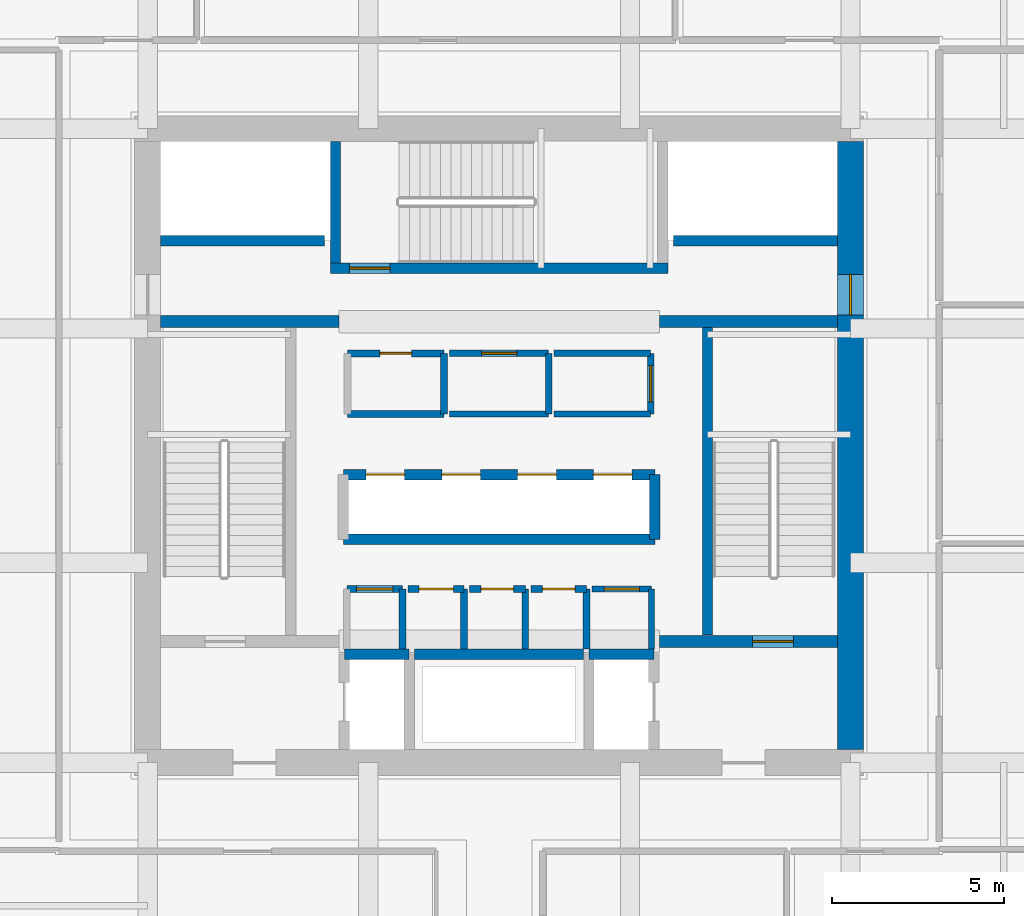
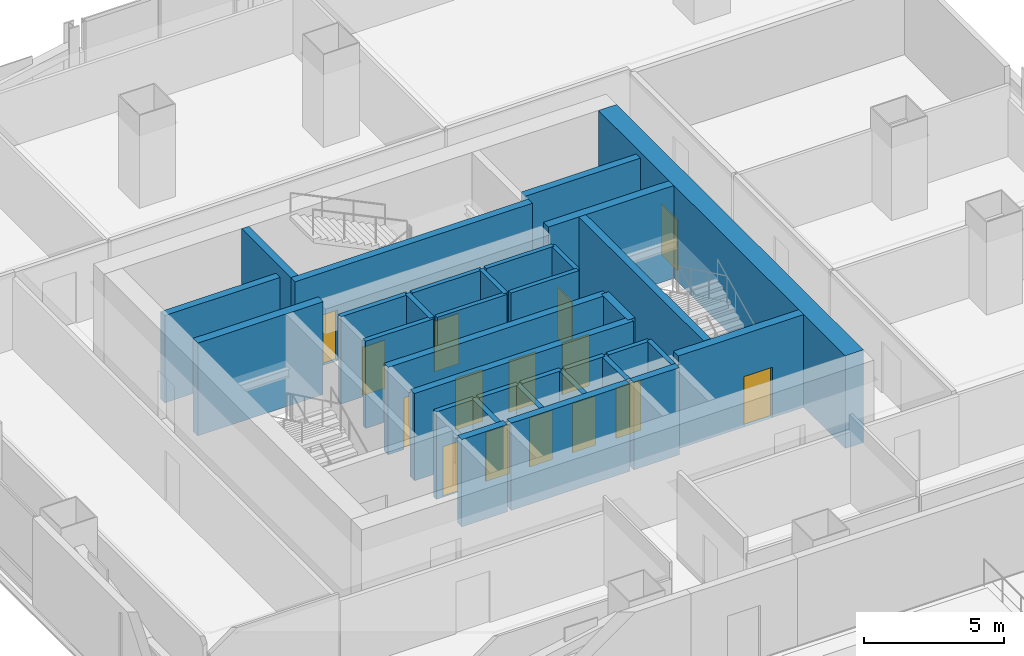
# One storey, part 12 of 28: 34 walls, 15 doors, 15 openings.
"""IFC4 building model written with IfcOpenShell, lengths in metres."""

import ifcopenshell
import ifcopenshell.guid

model = None  # the IFC model being written
_history = None  # IfcOwnerHistory: only IFC2X3 demands one
_inside = {}  # id of a spatial element -> (the spatial element, [elements in it])
_under = {}  # id of a project, library or spatial element -> (it, [spatial elements below it])
_declared = {}  # id of a project -> (the project, [libraries it declares])
_typed = {}  # id of a type object -> (the type object, [elements of that type])
_made_of = {}  # id of a material, layer set ... -> (it, [elements and type objects made of it])


def new_model(schema):
    """Start an empty IFC model of exactly this schema.

    Asked for "IFC4X3", IfcOpenShell would pick the latest addendum, in which some entities
    have other attributes; the version numbers below select the first issue.
    IFC2X3 requires an IfcOwnerHistory on every rooted entity: one is made here for all.
    """
    global model, _history
    if schema == "IFC4X3":
        model = ifcopenshell.file(schema_version=(4, 3, 0, 0))
    else:
        model = ifcopenshell.file(schema=schema)
    _inside.clear()
    _under.clear()
    _declared.clear()
    _typed.clear()
    _made_of.clear()
    _history = None
    if model.schema == "IFC2X3":
        org = make("IfcOrganization", Name="unknown")
        user = make(
            "IfcPersonAndOrganization",
            ThePerson=make("IfcPerson", FamilyName="unknown"),
            TheOrganization=org,
        )
        app = make(
            "IfcApplication",
            ApplicationDeveloper=org,
            Version="unknown",
            ApplicationFullName="unknown",
            ApplicationIdentifier="unknown",
        )
        _history = make(
            "IfcOwnerHistory",
            OwningUser=user,
            OwningApplication=app,
            ChangeAction="ADDED",
            CreationDate=0,
        )
    return model


def make(cls, **values):
    """One entity of the class cls with the attributes given. An attribute that is None is left unset."""
    return model.create_entity(
        cls, **{name: value for name, value in values.items() if value is not None}
    )


def rooted(cls, **values):
    """An entity with a GlobalId (a new one), such as an element, a storey or a relation."""
    return make(cls, GlobalId=ifcopenshell.guid.new(), OwnerHistory=_history, **values)


def si_unit(unit_type, name, prefix=None):
    """IfcSIUnit, for example si_unit("LENGTHUNIT", "METRE", prefix="MILLI")."""
    return make("IfcSIUnit", UnitType=unit_type, Prefix=prefix, Name=name)


def assignment(units):
    """IfcUnitAssignment: the units of a project."""
    return None if units is None else make("IfcUnitAssignment", Units=units)


def point(xyz):
    """IfcCartesianPoint."""
    return None if xyz is None else make("IfcCartesianPoint", Coordinates=xyz)


def direction(xyz):
    """IfcDirection."""
    return None if xyz is None else make("IfcDirection", DirectionRatios=xyz)


def frame(location, z_axis=None, x_axis=None):
    """IfcAxis2Placement3D, a coordinate frame: its origin and axes. An axis left out is left unset."""
    return make(
        "IfcAxis2Placement3D",
        Location=point(location),
        Axis=direction(z_axis),
        RefDirection=direction(x_axis),
    )


def frame_2d(location, x_axis=None):
    """IfcAxis2Placement2D, a coordinate frame in the plane: its origin and x axis."""
    return make(
        "IfcAxis2Placement2D", Location=point(location), RefDirection=direction(x_axis)
    )


def origin():
    """The frame at (0, 0, 0) with its axes left unset."""
    return frame((0.0, 0.0, 0.0))


def place(relative_to, where):
    """IfcLocalPlacement: puts the frame where relative to a parent placement (None: the world)."""
    return make(
        "IfcLocalPlacement", PlacementRelTo=relative_to, RelativePlacement=where
    )


def context(
    kind, dimensions, precision=None, world=None, true_north=None, identifier=None
):
    """IfcGeometricRepresentationContext, for example the 3D "Model" context."""
    return make(
        "IfcGeometricRepresentationContext",
        ContextIdentifier=identifier,
        ContextType=kind,
        CoordinateSpaceDimension=dimensions,
        Precision=precision,
        WorldCoordinateSystem=world,
        TrueNorth=true_north,
    )


def subcontext(parent, identifier, kind, view, scale=None):
    """IfcGeometricRepresentationSubContext, for example "Body" below "Model"."""
    return make(
        "IfcGeometricRepresentationSubContext",
        ContextIdentifier=identifier,
        ContextType=kind,
        ParentContext=parent,
        TargetScale=scale,
        TargetView=view,
    )


def project(units=None, contexts=None):
    """IfcProject with its units and contexts."""
    return rooted(
        "IfcProject",
        Name="project",
        RepresentationContexts=contexts,
        UnitsInContext=assignment(units),
    )


def spatial(cls, under=None, at=None, **own):
    """A site, building, storey or space (cls), placed at a placement, below another one or the project."""
    s = rooted(cls, ObjectPlacement=at, **own)
    if under is not None:
        _under.setdefault(under.id(), (under, []))[1].append(s)
    return s


def profile(cls, at=None, kind="AREA", **sizes):
    """A parametric profile (cls). Its sizes go by their IFC names, for example OverallWidth=200.0."""
    return make(cls, ProfileType=kind, Position=at, **sizes)


def rectangle(**sizes):
    """IfcRectangleProfileDef."""
    return profile("IfcRectangleProfileDef", **sizes)


def extrude(swept, where, along, depth):
    """IfcExtrudedAreaSolid: the profile swept, set in the frame where, extruded along a direction by depth."""
    return make(
        "IfcExtrudedAreaSolid",
        SweptArea=swept,
        Position=where,
        ExtrudedDirection=direction(along),
        Depth=depth,
    )


def shape(context_of_items, identifier, shape_type, items):
    """IfcShapeRepresentation: the items that make up one representation, for example the "Body"."""
    return make(
        "IfcShapeRepresentation",
        ContextOfItems=context_of_items,
        RepresentationIdentifier=identifier,
        RepresentationType=shape_type,
        Items=items,
    )


def material(Name=None, Category=None):
    """IfcMaterial."""
    return make("IfcMaterial", Name=Name, Category=Category)


def layer(
    of_material, thickness, ventilated=None, Name=None, Category=None, Priority=None
):
    """IfcMaterialLayer: one layer of a wall or slab, of a material (None: an air gap)."""
    return make(
        "IfcMaterialLayer",
        Material=of_material,
        LayerThickness=thickness,
        IsVentilated=ventilated,
        Name=Name,
        Category=Category,
        Priority=Priority,
    )


def layer_set(layers, Name=None):
    """IfcMaterialLayerSet."""
    return make("IfcMaterialLayerSet", MaterialLayers=layers, LayerSetName=Name)


def made_of(thing, what):
    """Note that an element or type object is made of a material, layer set ...; save() writes the relation."""
    if what is not None:
        _made_of.setdefault(what.id(), (what, []))[1].append(thing)
    return thing


def type_object(cls, material=None, **own):
    """A type object (cls), such as IfcWallType, which elements share."""
    return made_of(rooted(cls, **own), material)


def element(
    cls,
    number,
    at=None,
    inside=None,
    cuts=None,
    type_object=None,
    material=None,
    context=None,
    identifier="Body",
    shape_type=None,
    held_by="IfcProductDefinitionShape",
    body=None,
    shapes=None,
    **own,
):
    """One element of the class cls, such as IfcWall. Its Tag is "e" and its number.

    at: its placement. inside: the storey or other place that contains it. cuts: it is an
    opening in that element (IfcRelVoidsElement). A single representation is given by context,
    identifier, shape_type and body (its items); several are given by shapes. held_by: the class
    of the entity that holds the representations. save() writes the other relations.
    """
    e = rooted(cls, Tag="e%d" % number, ObjectPlacement=at, **own)
    if body is not None:
        shapes = [shape(context, identifier, shape_type, body)]
    if shapes is not None:
        e.Representation = make(held_by, Representations=shapes)
    if inside is not None:
        _inside.setdefault(inside.id(), (inside, []))[1].append(e)
    if cuts is not None:
        rooted(
            "IfcRelVoidsElement", RelatingBuildingElement=cuts, RelatedOpeningElement=e
        )
    if type_object is not None:
        _typed.setdefault(type_object.id(), (type_object, []))[1].append(e)
    return made_of(e, material)


def fill(opening, filler):
    """IfcRelFillsElement: the door or window that sits in an opening."""
    return rooted(
        "IfcRelFillsElement",
        RelatingOpeningElement=opening,
        RelatedBuildingElement=filler,
    )


def aggregate(whole, parts):
    """IfcRelAggregates: a whole, such as a stair, and the parts it consists of."""
    return rooted("IfcRelAggregates", RelatingObject=whole, RelatedObjects=parts)


def save(model, path):
    """Write the relations noted so far, then the file.

    IfcRelAggregates (storeys below a building ...), IfcRelContainedInSpatialStructure (elements
    in a storey), IfcRelDefinesByType, IfcRelAssociatesMaterial and IfcRelDeclares: one each for
    every whole, place, type object, material and project.
    """
    for whole, parts in _under.values():
        aggregate(whole, parts)
    for where, things in _inside.values():
        rooted(
            "IfcRelContainedInSpatialStructure",
            RelatedElements=things,
            RelatingStructure=where,
        )
    for kind, things in _typed.values():
        rooted("IfcRelDefinesByType", RelatedObjects=things, RelatingType=kind)
    for what, things in _made_of.values():
        rooted("IfcRelAssociatesMaterial", RelatedObjects=things, RelatingMaterial=what)
    for by, libraries in _declared.values():
        rooted("IfcRelDeclares", RelatingContext=by, RelatedDefinitions=libraries)
    model.write(path)


model = new_model("IFC4")

# Units and contexts
model_context = context("Model", 3, precision=1e-05, world=origin(), true_north=direction((0.0, 1.0)))
body_context = subcontext(model_context, "Body", "Model", "MODEL_VIEW")
ifc_project = project(units=[si_unit("LENGTHUNIT", "METRE"), si_unit("AREAUNIT", "SQUARE_METRE"), si_unit("VOLUMEUNIT", "CUBIC_METRE"), si_unit("PLANEANGLEUNIT", "RADIAN"), si_unit("MASSUNIT", "GRAM", prefix="KILO")], contexts=[model_context])

# Site, building, storey
site_placement = place(None, origin())
site = spatial("IfcSite", under=ifc_project, at=site_placement, CompositionType="ELEMENT")
building_placement = place(site_placement, origin())
building = spatial("IfcBuilding", under=site, at=building_placement, Name="Punatoya Terracotta Tower", CompositionType="ELEMENT")
storey_placement = place(building_placement, frame((0.0, 0.0, 93.0)))
storey = spatial("IfcBuildingStorey", under=building, at=storey_placement, Name="L21", CompositionType="ELEMENT", Elevation=93.0)

# Wall, opening, door
ifc_material_1 = material(Name="Concrete C60/75", Category="concrete")
ifc_layer_1 = layer(ifc_material_1, 0.75)
ifc_layer_set_1 = layer_set([ifc_layer_1], Name="Concrete C60/75")
wall_type_1 = type_object("IfcWallType", Name="WL-COR-750", PredefinedType="SHEAR", material=ifc_layer_set_1)
wall_1_placement = place(storey_placement, frame((10.199951171875, 8.824951171875, 0.0), z_axis=(0.0, 0.0, 1.0), x_axis=(0.0, -1.0, 0.0)))
wall_1 = element("IfcWall", 1, at=wall_1_placement, inside=storey, type_object=wall_type_1, Name="L21 Core Shear Wall E", PredefinedType="SHEAR", context=body_context, shape_type="SweptSolid", body=[
    extrude(rectangle(XDim=17.64990234375, YDim=0.75, at=frame_2d((8.824951171875, 0.0))), origin(), (0.0, 0.0, 1.0), 4.050048828125),
])
opening_1_placement = place(wall_1_placement, frame((3.85498046875, 0.0, 0.0)))
opening_1 = element("IfcOpeningElement", 2, at=opening_1_placement, cuts=wall_1, Name="Opening SD-01", PredefinedType="OPENING", context=body_context, shape_type="SweptSolid", body=[
    extrude(rectangle(XDim=1.179931640625, YDim=2.199951171875, at=frame_2d((0.58984375, 1.10009765625))), frame((0.0, 0.385009765625, 0.0), z_axis=(0.0, -1.0, 0.0), x_axis=(1.0, 0.0, 0.0)), (0.0, 0.0, 1.0), 0.77001953125),
])
ifc_material_2 = material(Name="Galvanised Steel Pressurized Stair Fire Door", Category="steel")
door_type_1 = type_object("IfcDoorType", Name="DR-STR-1180", OperationType="NOTDEFINED", PredefinedType="DOOR", material=ifc_material_2)
door_1_placement = place(opening_1_placement, origin())
door_1 = element("IfcDoor", 3, at=door_1_placement, inside=storey, type_object=door_type_1, Name="L21 Central Lift Lobby East Fire Door", OperationType="SINGLE_SWING_RIGHT", OverallHeight=2.199951171875, OverallWidth=1.179931640625, PredefinedType="DOOR", context=body_context, shape_type="SweptSolid", body=[
    extrude(rectangle(XDim=1.179931640625, YDim=2.199951171875, at=frame_2d((0.58984375, 1.10009765625))), frame((0.0, 0.02490234375, 0.0), z_axis=(0.0, -1.0, 0.0), x_axis=(1.0, 0.0, 0.0)), (0.0, 0.0, 1.0), 0.050048828125),
])
fill(opening_1, door_1)

# Wall
ifc_material_3 = material(Name="Gypsum Fireboard + Steel Stud", Category="steel")
ifc_layer_2 = layer(ifc_material_3, 0.179931640625)
ifc_layer_set_2 = layer_set([ifc_layer_2], Name="Gypsum Fireboard + Steel Stud")
wall_type_2 = type_object("IfcWallType", Name="WL-CORR-180", PredefinedType="PARTITIONING", material=ifc_layer_set_2)
wall_2_placement = place(storey_placement, frame((4.419921875, -5.89990234375, 0.0), z_axis=(0.0, 0.0, 1.0), x_axis=(0.0, 1.0, 0.0)))
element("IfcWall", 4, at=wall_2_placement, inside=storey, type_object=wall_type_2, Name="L21 Core Focus Booth Partition 10", PredefinedType="PARTITIONING", context=body_context, shape_type="SweptSolid", body=[
    extrude(rectangle(XDim=1.739990234375, YDim=0.179931640625, at=frame_2d((0.8701171875, 0.0))), origin(), (0.0, 0.0, 1.0), 3.81005859375),
])

# Wall, opening, door
wall_3_placement = place(storey_placement, frame((4.419921875, -4.159912109375, 0.0), z_axis=(0.0, 0.0, 1.0), x_axis=(-1.0, 0.0, 0.0)))
wall_3 = element("IfcWall", 5, at=wall_3_placement, inside=storey, type_object=wall_type_2, Name="L21 Core Focus Booth Partition 11", PredefinedType="PARTITIONING", context=body_context, shape_type="SweptSolid", body=[
    extrude(rectangle(XDim=1.719970703125, YDim=0.179931640625, at=frame_2d((0.85986328125, 0.0))), origin(), (0.0, 0.0, 1.0), 3.81005859375),
])
opening_2_placement = place(wall_3_placement, frame((0.35009765625, 0.0, 0.0)))
opening_2 = element("IfcOpeningElement", 6, at=opening_2_placement, cuts=wall_3, Name="Opening MD-01", PredefinedType="OPENING", context=body_context, shape_type="SweptSolid", body=[
    extrude(rectangle(XDim=1.02001953125, YDim=2.199951171875, at=frame_2d((0.510009765625, 1.10009765625))), frame((0.0, 0.099853515625, 0.0), z_axis=(0.0, -1.0, 0.0), x_axis=(1.0, 0.0, 0.0)), (0.0, 0.0, 1.0), 0.199951171875),
])
ifc_material_4 = material(Name="Aluminium + Acoustic Glass Leaf", Category="aluminium")
door_type_2 = type_object("IfcDoorType", Name="DR-MTG-1020", OperationType="NOTDEFINED", PredefinedType="DOOR", material=ifc_material_4)
door_2_placement = place(opening_2_placement, origin())
door_2 = element("IfcDoor", 7, at=door_2_placement, inside=storey, type_object=door_type_2, Name="L21 Focus Booth Door", OperationType="SINGLE_SWING_LEFT", OverallHeight=2.199951171875, OverallWidth=1.02001953125, PredefinedType="DOOR", context=body_context, shape_type="SweptSolid", body=[
    extrude(rectangle(XDim=1.02001953125, YDim=2.199951171875, at=frame_2d((0.510009765625, 1.10009765625))), frame((0.0, 0.02490234375, 0.0), z_axis=(0.0, -1.0, 0.0), x_axis=(1.0, 0.0, 0.0)), (0.0, 0.0, 1.0), 0.050048828125),
])
fill(opening_2, door_2)

# Wall
wall_4_placement = place(storey_placement, frame((1.43994140625, 0.919921875, 0.0), z_axis=(0.0, 0.0, 1.0), x_axis=(0.0, 1.0, 0.0)))
element("IfcWall", 8, at=wall_4_placement, inside=storey, type_object=wall_type_2, Name="L21 Center Core Briefing Pod Partition 16", PredefinedType="PARTITIONING", context=body_context, shape_type="SweptSolid", body=[
    extrude(rectangle(XDim=1.760009765625, YDim=0.179931640625, at=frame_2d((0.8798828125, 0.0))), origin(), (0.0, 0.0, 1.0), 3.81005859375),
])

# Wall, opening, door
wall_5_placement = place(storey_placement, frame((1.43994140625, 2.679931640625, 0.0), z_axis=(0.0, 0.0, 1.0), x_axis=(-1.0, 0.0, 0.0)))
wall_5 = element("IfcWall", 9, at=wall_5_placement, inside=storey, type_object=wall_type_2, Name="L21 Center Core Briefing Pod Partition 17", PredefinedType="PARTITIONING", context=body_context, shape_type="SweptSolid", body=[
    extrude(rectangle(XDim=2.8798828125, YDim=0.179931640625, at=frame_2d((1.43994140625, 0.0))), origin(), (0.0, 0.0, 1.0), 3.81005859375),
])
opening_3_placement = place(wall_5_placement, frame((0.929931640625, 0.0, 0.0)))
opening_3 = element("IfcOpeningElement", 10, at=opening_3_placement, cuts=wall_5, Name="Opening MD-01", PredefinedType="OPENING", context=body_context, shape_type="SweptSolid", body=[
    extrude(rectangle(XDim=1.02001953125, YDim=2.199951171875, at=frame_2d((0.510009765625, 1.10009765625))), frame((0.0, 0.099853515625, 0.0), z_axis=(0.0, -1.0, 0.0), x_axis=(1.0, 0.0, 0.0)), (0.0, 0.0, 1.0), 0.199951171875),
])
door_3_placement = place(opening_3_placement, origin())
door_3 = element("IfcDoor", 11, at=door_3_placement, inside=storey, type_object=door_type_2, Name="L21 Center Briefing Pod Door", OperationType="SINGLE_SWING_LEFT", OverallHeight=2.199951171875, OverallWidth=1.02001953125, PredefinedType="DOOR", context=body_context, shape_type="SweptSolid", body=[
    extrude(rectangle(XDim=1.02001953125, YDim=2.199951171875, at=frame_2d((0.510009765625, 1.10009765625))), frame((0.0, 0.02490234375, 0.0), z_axis=(0.0, -1.0, 0.0), x_axis=(1.0, 0.0, 0.0)), (0.0, 0.0, 1.0), 0.050048828125),
])
fill(opening_3, door_3)

# Wall
wall_6_placement = place(storey_placement, frame((-1.43994140625, 0.919921875, 0.0), z_axis=(0.0, 0.0, 1.0), x_axis=(1.0, 0.0, 0.0)))
element("IfcWall", 12, at=wall_6_placement, inside=storey, type_object=wall_type_2, Name="L21 Center Core Briefing Pod Partition 18", PredefinedType="PARTITIONING", context=body_context, shape_type="SweptSolid", body=[
    extrude(rectangle(XDim=2.8798828125, YDim=0.179931640625, at=frame_2d((1.43994140625, 0.0))), origin(), (0.0, 0.0, 1.0), 3.81005859375),
])

# Wall, opening, door
wall_7_placement = place(storey_placement, frame((4.39990234375, 0.919921875, 0.0), z_axis=(0.0, 0.0, 1.0), x_axis=(0.0, 1.0, 0.0)))
wall_7 = element("IfcWall", 13, at=wall_7_placement, inside=storey, type_object=wall_type_2, Name="L21 Right Core Copy Room Partition 19", PredefinedType="PARTITIONING", context=body_context, shape_type="SweptSolid", body=[
    extrude(rectangle(XDim=1.760009765625, YDim=0.179931640625, at=frame_2d((0.8798828125, 0.0))), origin(), (0.0, 0.0, 1.0), 3.81005859375),
])
opening_4_placement = place(wall_7_placement, frame((0.35498046875, 0.0, 0.0)))
opening_4 = element("IfcOpeningElement", 14, at=opening_4_placement, cuts=wall_7, Name="Opening OD-01", PredefinedType="OPENING", context=body_context, shape_type="SweptSolid", body=[
    extrude(rectangle(XDim=1.050048828125, YDim=2.199951171875, at=frame_2d((0.52490234375, 1.10009765625))), frame((0.0, 0.099853515625, 0.0), z_axis=(0.0, -1.0, 0.0), x_axis=(1.0, 0.0, 0.0)), (0.0, 0.0, 1.0), 0.199951171875),
])
ifc_material_5 = material(Name="Bengal Teak Solid-Core Leaf")
door_type_3 = type_object("IfcDoorType", Name="DR-OFF-1050", OperationType="NOTDEFINED", PredefinedType="DOOR", material=ifc_material_5)
door_4_placement = place(opening_4_placement, origin())
door_4 = element("IfcDoor", 15, at=door_4_placement, inside=storey, type_object=door_type_3, Name="L21 Right Copy Room Door", OperationType="SINGLE_SWING_RIGHT", OverallHeight=2.199951171875, OverallWidth=1.050048828125, PredefinedType="DOOR", context=body_context, shape_type="SweptSolid", body=[
    extrude(rectangle(XDim=1.050048828125, YDim=2.199951171875, at=frame_2d((0.52490234375, 1.10009765625))), frame((0.0, 0.02490234375, 0.0), z_axis=(0.0, -1.0, 0.0), x_axis=(1.0, 0.0, 0.0)), (0.0, 0.0, 1.0), 0.050048828125),
])
fill(opening_4, door_4)

# Walls
for number, where, z_axis, x_axis, name in (
    (16, (4.39990234375, 2.679931640625, 0.0), (0.0, 0.0, 1.0), (-1.0, 0.0, 0.0), "L21 Right Core Copy Room Partition 20"),
    (17, (1.60009765625, 0.919921875, 0.0), (0.0, 0.0, 1.0), (1.0, 0.0, 0.0), "L21 Right Core Copy Room Partition 21"),
):
    element("IfcWall", number, at=place(storey_placement, frame(where, z_axis=z_axis, x_axis=x_axis)), inside=storey, type_object=wall_type_2, Name=name, PredefinedType="PARTITIONING", context=body_context, shape_type="SweptSolid", body=[
        extrude(rectangle(XDim=2.7998046875, YDim=0.179931640625, at=frame_2d((1.39990234375, 0.0))), origin(), (0.0, 0.0, 1.0), 3.81005859375),
    ])
ifc_material_6 = material(Name="Concrete C40/50", Category="concrete")
ifc_layer_3 = layer(ifc_material_6, 0.199951171875)
ifc_layer_set_3 = layer_set([ifc_layer_3], Name="Concrete C40/50")
wall_type_3 = type_object("IfcWallType", Name="WL-INT-200", PredefinedType="SOLIDWALL", material=ifc_layer_set_3)
wall_8_placement = place(storey_placement, frame((-2.800048828125, -5.89990234375, 0.0), z_axis=(0.0, 0.0, 1.0), x_axis=(0.0, 1.0, 0.0)))
element("IfcWall", 18, at=wall_8_placement, inside=storey, type_object=wall_type_3, Name="L21 Core Tea Pantry Partition 01", PredefinedType="SOLIDWALL", context=body_context, shape_type="SweptSolid", body=[
    extrude(rectangle(XDim=1.739990234375, YDim=0.199951171875, at=frame_2d((0.8701171875, 0.0))), origin(), (0.0, 0.0, 1.0), 3.81005859375),
])

# Wall, opening, door
wall_9_placement = place(storey_placement, frame((-2.800048828125, -4.159912109375, 0.0), z_axis=(0.0, 0.0, 1.0), x_axis=(-1.0, 0.0, 0.0)))
wall_9 = element("IfcWall", 19, at=wall_9_placement, inside=storey, type_object=wall_type_3, Name="L21 Core Tea Pantry Partition 02", PredefinedType="SOLIDWALL", context=body_context, shape_type="SweptSolid", body=[
    extrude(rectangle(XDim=1.619873046875, YDim=0.199951171875, at=frame_2d((0.81005859375, 0.0))), origin(), (0.0, 0.0, 1.0), 3.81005859375),
])
opening_5_placement = place(wall_9_placement, frame((0.284912109375, 0.0, 0.0)))
opening_5 = element("IfcOpeningElement", 20, at=opening_5_placement, cuts=wall_9, Name="Opening OD-01", PredefinedType="OPENING", context=body_context, shape_type="SweptSolid", body=[
    extrude(rectangle(XDim=1.050048828125, YDim=2.199951171875, at=frame_2d((0.52490234375, 1.10009765625))), frame((0.0, 0.10986328125, 0.0), z_axis=(0.0, -1.0, 0.0), x_axis=(1.0, 0.0, 0.0)), (0.0, 0.0, 1.0), 0.219970703125),
])
door_5_placement = place(opening_5_placement, origin())
door_5 = element("IfcDoor", 21, at=door_5_placement, inside=storey, type_object=door_type_3, Name="L21 Tea Pantry Door", OperationType="SINGLE_SWING_LEFT", OverallHeight=2.199951171875, OverallWidth=1.050048828125, PredefinedType="DOOR", context=body_context, shape_type="SweptSolid", body=[
    extrude(rectangle(XDim=1.050048828125, YDim=2.199951171875, at=frame_2d((0.52490234375, 1.10009765625))), frame((0.0, 0.02490234375, 0.0), z_axis=(0.0, -1.0, 0.0), x_axis=(1.0, 0.0, 0.0)), (0.0, 0.0, 1.0), 0.050048828125),
])
fill(opening_5, door_5)

# Wall
wall_10_placement = place(storey_placement, frame((-1.02001953125, -5.89990234375, 0.0), z_axis=(0.0, 0.0, 1.0), x_axis=(0.0, 1.0, 0.0)))
element("IfcWall", 22, at=wall_10_placement, inside=storey, type_object=wall_type_3, Name="L21 Accessible Washroom Partition 04", PredefinedType="SOLIDWALL", context=body_context, shape_type="SweptSolid", body=[
    extrude(rectangle(XDim=1.739990234375, YDim=0.199951171875, at=frame_2d((0.8701171875, 0.0))), origin(), (0.0, 0.0, 1.0), 3.81005859375),
])

# Wall, opening, door
wall_11_placement = place(storey_placement, frame((-1.02001953125, -4.159912109375, 0.0), z_axis=(0.0, 0.0, 1.0), x_axis=(-1.0, 0.0, 0.0)))
wall_11 = element("IfcWall", 23, at=wall_11_placement, inside=storey, type_object=wall_type_3, Name="L21 Accessible Washroom Partition 05", PredefinedType="SOLIDWALL", context=body_context, shape_type="SweptSolid", body=[
    extrude(rectangle(XDim=1.619873046875, YDim=0.199951171875, at=frame_2d((0.81005859375, 0.0))), origin(), (0.0, 0.0, 1.0), 3.81005859375),
])
opening_6_placement = place(wall_11_placement, frame((0.31005859375, 0.0, 0.0)))
opening_6 = element("IfcOpeningElement", 24, at=opening_6_placement, cuts=wall_11, Name="Opening AWD-1", PredefinedType="OPENING", context=body_context, shape_type="SweptSolid", body=[
    extrude(rectangle(XDim=1.0, YDim=2.14990234375, at=frame_2d((0.5, 1.074951171875))), frame((0.0, 0.10986328125, 0.0), z_axis=(0.0, -1.0, 0.0), x_axis=(1.0, 0.0, 0.0)), (0.0, 0.0, 1.0), 0.219970703125),
])
ifc_material_7 = material(Name="Bengal Teak Accessible WC Leaf")
door_type_4 = type_object("IfcDoorType", Name="DR-ACC-1000", OperationType="NOTDEFINED", PredefinedType="DOOR", material=ifc_material_7)
door_6_placement = place(opening_6_placement, origin())
door_6 = element("IfcDoor", 25, at=door_6_placement, inside=storey, type_object=door_type_4, Name="L21 Accessible Washroom Door", OperationType="SINGLE_SWING_RIGHT", OverallHeight=2.14990234375, OverallWidth=1.0, PredefinedType="DOOR", context=body_context, shape_type="SweptSolid", body=[
    extrude(rectangle(XDim=1.0, YDim=2.14990234375, at=frame_2d((0.5, 1.074951171875))), frame((0.0, 0.02490234375, 0.0), z_axis=(0.0, -1.0, 0.0), x_axis=(1.0, 0.0, 0.0)), (0.0, 0.0, 1.0), 0.050048828125),
])
fill(opening_6, door_6)

# Wall
wall_12_placement = place(storey_placement, frame((0.760009765625, -5.89990234375, 0.0), z_axis=(0.0, 0.0, 1.0), x_axis=(0.0, 1.0, 0.0)))
element("IfcWall", 26, at=wall_12_placement, inside=storey, type_object=wall_type_3, Name="L21 Female Washroom Partition 06", PredefinedType="SOLIDWALL", context=body_context, shape_type="SweptSolid", body=[
    extrude(rectangle(XDim=1.739990234375, YDim=0.199951171875, at=frame_2d((0.8701171875, 0.0))), origin(), (0.0, 0.0, 1.0), 3.81005859375),
])

# Wall, opening, door
wall_13_placement = place(storey_placement, frame((0.760009765625, -4.159912109375, 0.0), z_axis=(0.0, 0.0, 1.0), x_axis=(-1.0, 0.0, 0.0)))
wall_13 = element("IfcWall", 27, at=wall_13_placement, inside=storey, type_object=wall_type_3, Name="L21 Female Washroom Partition 07", PredefinedType="SOLIDWALL", context=body_context, shape_type="SweptSolid", body=[
    extrude(rectangle(XDim=1.6201171875, YDim=0.199951171875, at=frame_2d((0.81005859375, 0.0))), origin(), (0.0, 0.0, 1.0), 3.81005859375),
])
opening_7_placement = place(wall_13_placement, frame((0.3349609375, 0.0, 0.0)))
opening_7 = element("IfcOpeningElement", 28, at=opening_7_placement, cuts=wall_13, Name="Opening WD-01", PredefinedType="OPENING", context=body_context, shape_type="SweptSolid", body=[
    extrude(rectangle(XDim=0.949951171875, YDim=2.14990234375, at=frame_2d((0.47509765625, 1.074951171875))), frame((0.0, 0.10986328125, 0.0), z_axis=(0.0, -1.0, 0.0), x_axis=(1.0, 0.0, 0.0)), (0.0, 0.0, 1.0), 0.219970703125),
])
ifc_material_8 = material(Name="Moisture-Resistant Laminate Timber Leaf", Category="wood")
door_type_5 = type_object("IfcDoorType", Name="DR-WC-950", OperationType="NOTDEFINED", PredefinedType="DOOR", material=ifc_material_8)
door_7_placement = place(opening_7_placement, origin())
door_7 = element("IfcDoor", 29, at=door_7_placement, inside=storey, type_object=door_type_5, Name="L21 Female Washroom Door", OperationType="SINGLE_SWING_LEFT", OverallHeight=2.14990234375, OverallWidth=0.949951171875, PredefinedType="DOOR", context=body_context, shape_type="SweptSolid", body=[
    extrude(rectangle(XDim=0.949951171875, YDim=2.14990234375, at=frame_2d((0.47509765625, 1.074951171875))), frame((0.0, 0.02490234375, 0.0), z_axis=(0.0, -1.0, 0.0), x_axis=(1.0, 0.0, 0.0)), (0.0, 0.0, 1.0), 0.050048828125),
])
fill(opening_7, door_7)

# Wall
wall_14_placement = place(storey_placement, frame((2.5400390625, -5.89990234375, 0.0), z_axis=(0.0, 0.0, 1.0), x_axis=(0.0, 1.0, 0.0)))
element("IfcWall", 30, at=wall_14_placement, inside=storey, type_object=wall_type_3, Name="L21 Male Washroom Partition 08", PredefinedType="SOLIDWALL", context=body_context, shape_type="SweptSolid", body=[
    extrude(rectangle(XDim=1.739990234375, YDim=0.199951171875, at=frame_2d((0.8701171875, 0.0))), origin(), (0.0, 0.0, 1.0), 3.81005859375),
])

# Wall, opening, door
wall_15_placement = place(storey_placement, frame((2.5400390625, -4.159912109375, 0.0), z_axis=(0.0, 0.0, 1.0), x_axis=(-1.0, 0.0, 0.0)))
wall_15 = element("IfcWall", 31, at=wall_15_placement, inside=storey, type_object=wall_type_3, Name="L21 Male Washroom Partition 09", PredefinedType="SOLIDWALL", context=body_context, shape_type="SweptSolid", body=[
    extrude(rectangle(XDim=1.6201171875, YDim=0.199951171875, at=frame_2d((0.81005859375, 0.0))), origin(), (0.0, 0.0, 1.0), 3.81005859375),
])
opening_8_placement = place(wall_15_placement, frame((0.3349609375, 0.0, 0.0)))
opening_8 = element("IfcOpeningElement", 32, at=opening_8_placement, cuts=wall_15, Name="Opening WD-01", PredefinedType="OPENING", context=body_context, shape_type="SweptSolid", body=[
    extrude(rectangle(XDim=0.949951171875, YDim=2.14990234375, at=frame_2d((0.47509765625, 1.074951171875))), frame((0.0, 0.10986328125, 0.0), z_axis=(0.0, -1.0, 0.0), x_axis=(1.0, 0.0, 0.0)), (0.0, 0.0, 1.0), 0.219970703125),
])
door_8_placement = place(opening_8_placement, origin())
door_8 = element("IfcDoor", 33, at=door_8_placement, inside=storey, type_object=door_type_5, Name="L21 Male Washroom Door", OperationType="SINGLE_SWING_RIGHT", OverallHeight=2.14990234375, OverallWidth=0.949951171875, PredefinedType="DOOR", context=body_context, shape_type="SweptSolid", body=[
    extrude(rectangle(XDim=0.949951171875, YDim=2.14990234375, at=frame_2d((0.47509765625, 1.074951171875))), frame((0.0, 0.02490234375, 0.0), z_axis=(0.0, -1.0, 0.0), x_axis=(1.0, 0.0, 0.0)), (0.0, 0.0, 1.0), 0.050048828125),
])
fill(opening_8, door_8)

# Wall
wall_16_placement = place(storey_placement, frame((-1.60009765625, 0.919921875, 0.0), z_axis=(0.0, 0.0, 1.0), x_axis=(0.0, 1.0, 0.0)))
element("IfcWall", 34, at=wall_16_placement, inside=storey, type_object=wall_type_3, Name="L21 Left Core Store Partition 12", PredefinedType="SOLIDWALL", context=body_context, shape_type="SweptSolid", body=[
    extrude(rectangle(XDim=1.760009765625, YDim=0.199951171875, at=frame_2d((0.8798828125, 0.0))), origin(), (0.0, 0.0, 1.0), 3.81005859375),
])

# Wall, opening, door
wall_17_placement = place(storey_placement, frame((-1.60009765625, 2.679931640625, 0.0), z_axis=(0.0, 0.0, 1.0), x_axis=(-1.0, 0.0, 0.0)))
wall_17 = element("IfcWall", 35, at=wall_17_placement, inside=storey, type_object=wall_type_3, Name="L21 Left Core Store Partition 13", PredefinedType="SOLIDWALL", context=body_context, shape_type="SweptSolid", body=[
    extrude(rectangle(XDim=2.7998046875, YDim=0.199951171875, at=frame_2d((1.39990234375, 0.0))), origin(), (0.0, 0.0, 1.0), 3.81005859375),
])
opening_9_placement = place(wall_17_placement, frame((0.93994140625, 0.0, 0.0)))
opening_9 = element("IfcOpeningElement", 36, at=opening_9_placement, cuts=wall_17, Name="Opening FD-R1", PredefinedType="OPENING", context=body_context, shape_type="SweptSolid", body=[
    extrude(rectangle(XDim=0.919921875, YDim=2.10009765625, at=frame_2d((0.4599609375, 1.050048828125))), frame((0.0, 0.10986328125, 0.0), z_axis=(0.0, -1.0, 0.0), x_axis=(1.0, 0.0, 0.0)), (0.0, 0.0, 1.0), 0.219970703125),
])
ifc_material_9 = material(Name="Galvanised Steel Riser Fire Access Door", Category="steel")
door_type_6 = type_object("IfcDoorType", Name="DR-RSR-920", OperationType="NOTDEFINED", PredefinedType="DOOR", material=ifc_material_9)
door_9_placement = place(opening_9_placement, origin())
door_9 = element("IfcDoor", 37, at=door_9_placement, inside=storey, type_object=door_type_6, Name="L21 Left Core Store Fire Door", OperationType="SINGLE_SWING_RIGHT", OverallHeight=2.10009765625, OverallWidth=0.919921875, PredefinedType="DOOR", context=body_context, shape_type="SweptSolid", body=[
    extrude(rectangle(XDim=0.919921875, YDim=2.10009765625, at=frame_2d((0.4599609375, 1.050048828125))), frame((0.0, 0.02490234375, 0.0), z_axis=(0.0, -1.0, 0.0), x_axis=(1.0, 0.0, 0.0)), (0.0, 0.0, 1.0), 0.050048828125),
])
fill(opening_9, door_9)

# Walls
wall_18_placement = place(storey_placement, frame((-4.39990234375, 0.919921875, 0.0), z_axis=(0.0, 0.0, 1.0), x_axis=(1.0, 0.0, 0.0)))
element("IfcWall", 38, at=wall_18_placement, inside=storey, type_object=wall_type_3, Name="L21 Left Core Store Partition 15", PredefinedType="SOLIDWALL", context=body_context, shape_type="SweptSolid", body=[
    extrude(rectangle(XDim=2.7998046875, YDim=0.199951171875, at=frame_2d((1.39990234375, 0.0))), origin(), (0.0, 0.0, 1.0), 3.81005859375),
])
ifc_layer_4 = layer(ifc_material_6, 0.300048828125)
ifc_layer_set_4 = layer_set([ifc_layer_4], Name="Concrete C40/50")
wall_type_4 = type_object("IfcWallType", Name="WL-SHF-300", PredefinedType="SOLIDWALL", material=ifc_layer_set_4)
wall_19_placement = place(storey_placement, frame((6.050048828125, 3.449951171875, 0.0), z_axis=(0.0, 0.0, 1.0), x_axis=(0.0, -1.0, 0.0)))
element("IfcWall", 39, at=wall_19_placement, inside=storey, type_object=wall_type_4, Name="L21 Structural Stair Shaft Wall SW-ST2-W", PredefinedType="SOLIDWALL", context=body_context, shape_type="SweptSolid", body=[
    extrude(rectangle(XDim=8.949951171875, YDim=0.300048828125, at=frame_2d((4.47509765625, 0.0))), origin(), (0.0, 0.0, 1.0), 4.050048828125),
])
wall_20_placement = place(storey_placement, frame((-4.75, 5.300048828125, 0.0), z_axis=(0.0, 0.0, 1.0), x_axis=(0.0, 1.0, 0.0)))
element("IfcWall", 40, at=wall_20_placement, inside=storey, type_object=wall_type_4, Name="L21 Structural Stair Shaft Wall SW-ST3-W", PredefinedType="SOLIDWALL", context=body_context, shape_type="SweptSolid", body=[
    extrude(rectangle(XDim=3.52490234375, YDim=0.300048828125, at=frame_2d((1.762451171875, 0.0))), origin(), (0.0, 0.0, 1.0), 4.050048828125),
])

# Wall, opening, door
wall_21_placement = place(storey_placement, frame((-4.89990234375, 5.14990234375, 0.0), z_axis=(0.0, 0.0, 1.0), x_axis=(1.0, 0.0, 0.0)))
wall_21 = element("IfcWall", 41, at=wall_21_placement, inside=storey, type_object=wall_type_4, Name="L21 Structural Stair Shaft Wall SW-ST3-S", PredefinedType="SOLIDWALL", context=body_context, shape_type="SweptSolid", body=[
    extrude(rectangle(XDim=9.7998046875, YDim=0.300048828125, at=frame_2d((4.89990234375, 0.0))), origin(), (0.0, 0.0, 1.0), 4.050048828125),
])
opening_10_placement = place(wall_21_placement, frame((0.56005859375, 0.0, 0.0)))
opening_10 = element("IfcOpeningElement", 42, at=opening_10_placement, cuts=wall_21, Name="Opening SD-01", PredefinedType="OPENING", context=body_context, shape_type="SweptSolid", body=[
    extrude(rectangle(XDim=1.179931640625, YDim=2.199951171875, at=frame_2d((0.58984375, 1.10009765625))), frame((0.0, 0.159912109375, 0.0), z_axis=(0.0, -1.0, 0.0), x_axis=(1.0, 0.0, 0.0)), (0.0, 0.0, 1.0), 0.320068359375),
])
door_10_placement = place(opening_10_placement, origin())
door_10 = element("IfcDoor", 43, at=door_10_placement, inside=storey, type_object=door_type_1, Name="L21 Stair ST-3 Core Lobby Fire Door", OperationType="SINGLE_SWING_LEFT", OverallHeight=2.199951171875, OverallWidth=1.179931640625, PredefinedType="DOOR", context=body_context, shape_type="SweptSolid", body=[
    extrude(rectangle(XDim=1.179931640625, YDim=2.199951171875, at=frame_2d((0.58984375, 1.10009765625))), frame((0.0, 0.02490234375, 0.0), z_axis=(0.0, -1.0, 0.0), x_axis=(1.0, 0.0, 0.0)), (0.0, 0.0, 1.0), 0.050048828125),
])
fill(opening_10, door_10)

# Walls
for number, where, z_axis, x_axis, name in (
    (44, (-4.489990234375, -6.050048828125, 0.0), (0.0, 0.0, 1.0), (1.0, 0.0, 0.0), "L21 FFL-1 North Hoistway Wall"),
    (45, (2.610107421875, -6.050048828125, 0.0), (0.0, 0.0, 1.0), (1.0, 0.0, 0.0), "L21 FFL-2 North Hoistway Wall"),
):
    element("IfcWall", number, at=place(storey_placement, frame(where, z_axis=z_axis, x_axis=x_axis)), inside=storey, type_object=wall_type_4, Name=name, PredefinedType="SOLIDWALL", context=body_context, shape_type="SweptSolid", body=[
        extrude(rectangle(XDim=1.8798828125, YDim=0.300048828125, at=frame_2d((0.93994140625, 0.0))), origin(), (0.0, 0.0, 1.0), 3.81005859375),
    ])

# Wall, openings, doors
wall_22_placement = place(storey_placement, frame((-4.52001953125, -0.840087890625, 0.0), z_axis=(0.0, 0.0, 1.0), x_axis=(1.0, 0.0, 0.0)))
wall_22 = element("IfcWall", 46, at=wall_22_placement, inside=storey, type_object=wall_type_4, Name="L21 South Lift Bank Front Shaft Wall", PredefinedType="SOLIDWALL", context=body_context, shape_type="SweptSolid", body=[
    extrude(rectangle(XDim=9.0400390625, YDim=0.300048828125, at=frame_2d((4.52001953125, 0.0))), origin(), (0.0, 0.0, 1.0), 3.81005859375),
])
opening_11_placement = place(wall_22_placement, frame((0.659912109375, 0.0, 0.0)))
opening_11 = element("IfcOpeningElement", 47, at=opening_11_placement, cuts=wall_22, Name="Opening LD-02", PredefinedType="OPENING", context=body_context, shape_type="SweptSolid", body=[
    extrude(rectangle(XDim=1.1201171875, YDim=2.25, at=frame_2d((0.56005859375, 1.125))), frame((0.0, 0.159912109375, 0.0), z_axis=(0.0, -1.0, 0.0), x_axis=(1.0, 0.0, 0.0)), (0.0, 0.0, 1.0), 0.320068359375),
])
opening_12_placement = place(wall_22_placement, frame((2.860107421875, 0.0, 0.0)))
opening_12 = element("IfcOpeningElement", 48, at=opening_12_placement, cuts=wall_22, Name="Opening LD-02", PredefinedType="OPENING", context=body_context, shape_type="SweptSolid", body=[
    extrude(rectangle(XDim=1.1201171875, YDim=2.25, at=frame_2d((0.56005859375, 1.125))), frame((0.0, 0.159912109375, 0.0), z_axis=(0.0, -1.0, 0.0), x_axis=(1.0, 0.0, 0.0)), (0.0, 0.0, 1.0), 0.320068359375),
])
opening_13_placement = place(wall_22_placement, frame((5.06005859375, 0.0, 0.0)))
opening_13 = element("IfcOpeningElement", 49, at=opening_13_placement, cuts=wall_22, Name="Opening LD-02", PredefinedType="OPENING", context=body_context, shape_type="SweptSolid", body=[
    extrude(rectangle(XDim=1.1201171875, YDim=2.25, at=frame_2d((0.56005859375, 1.125))), frame((0.0, 0.159912109375, 0.0), z_axis=(0.0, -1.0, 0.0), x_axis=(1.0, 0.0, 0.0)), (0.0, 0.0, 1.0), 0.320068359375),
])
opening_14_placement = place(wall_22_placement, frame((7.260009765625, 0.0, 0.0)))
opening_14 = element("IfcOpeningElement", 50, at=opening_14_placement, cuts=wall_22, Name="Opening LD-02", PredefinedType="OPENING", context=body_context, shape_type="SweptSolid", body=[
    extrude(rectangle(XDim=1.1201171875, YDim=2.25, at=frame_2d((0.56005859375, 1.125))), frame((0.0, 0.159912109375, 0.0), z_axis=(0.0, -1.0, 0.0), x_axis=(1.0, 0.0, 0.0)), (0.0, 0.0, 1.0), 0.320068359375),
])
ifc_material_10 = material(Name="Stainless Steel Lift Landing Door", Category="steel")
door_type_7 = type_object("IfcDoorType", Name="DR-LND-1120", OperationType="NOTDEFINED", PredefinedType="DOOR", material=ifc_material_10)
door_11_placement = place(opening_11_placement, origin())
door_11 = element("IfcDoor", 51, at=door_11_placement, inside=storey, type_object=door_type_7, Name="L21 Lift PL-L1 Sliding Landing Door", OperationType="DOUBLE_DOOR_SLIDING", OverallHeight=2.25, OverallWidth=1.1201171875, PredefinedType="DOOR", context=body_context, shape_type="SweptSolid", body=[
    extrude(rectangle(XDim=1.1201171875, YDim=2.25, at=frame_2d((0.56005859375, 1.125))), frame((0.0, 0.02490234375, 0.0), z_axis=(0.0, -1.0, 0.0), x_axis=(1.0, 0.0, 0.0)), (0.0, 0.0, 1.0), 0.050048828125),
])
fill(opening_11, door_11)
door_12_placement = place(opening_12_placement, origin())
door_12 = element("IfcDoor", 52, at=door_12_placement, inside=storey, type_object=door_type_7, Name="L21 Lift PL-L2 Sliding Landing Door", OperationType="DOUBLE_DOOR_SLIDING", OverallHeight=2.25, OverallWidth=1.1201171875, PredefinedType="DOOR", context=body_context, shape_type="SweptSolid", body=[
    extrude(rectangle(XDim=1.1201171875, YDim=2.25, at=frame_2d((0.56005859375, 1.125))), frame((0.0, 0.02490234375, 0.0), z_axis=(0.0, -1.0, 0.0), x_axis=(1.0, 0.0, 0.0)), (0.0, 0.0, 1.0), 0.050048828125),
])
fill(opening_12, door_12)
door_13_placement = place(opening_13_placement, origin())
door_13 = element("IfcDoor", 53, at=door_13_placement, inside=storey, type_object=door_type_7, Name="L21 Lift PL-L3 Sliding Landing Door", OperationType="DOUBLE_DOOR_SLIDING", OverallHeight=2.25, OverallWidth=1.1201171875, PredefinedType="DOOR", context=body_context, shape_type="SweptSolid", body=[
    extrude(rectangle(XDim=1.1201171875, YDim=2.25, at=frame_2d((0.56005859375, 1.125))), frame((0.0, 0.02490234375, 0.0), z_axis=(0.0, -1.0, 0.0), x_axis=(1.0, 0.0, 0.0)), (0.0, 0.0, 1.0), 0.050048828125),
])
fill(opening_13, door_13)
door_14_placement = place(opening_14_placement, origin())
door_14 = element("IfcDoor", 54, at=door_14_placement, inside=storey, type_object=door_type_7, Name="L21 Lift PL-L4 Sliding Landing Door", OperationType="DOUBLE_DOOR_SLIDING", OverallHeight=2.25, OverallWidth=1.1201171875, PredefinedType="DOOR", context=body_context, shape_type="SweptSolid", body=[
    extrude(rectangle(XDim=1.1201171875, YDim=2.25, at=frame_2d((0.56005859375, 1.125))), frame((0.0, 0.02490234375, 0.0), z_axis=(0.0, -1.0, 0.0), x_axis=(1.0, 0.0, 0.0)), (0.0, 0.0, 1.0), 0.050048828125),
])
fill(opening_14, door_14)

# Walls
wall_23_placement = place(storey_placement, frame((-4.52001953125, -2.719970703125, 0.0), z_axis=(0.0, 0.0, 1.0), x_axis=(1.0, 0.0, 0.0)))
element("IfcWall", 55, at=wall_23_placement, inside=storey, type_object=wall_type_4, Name="L21 South Lift Bank Rear Shaft Wall", PredefinedType="SOLIDWALL", context=body_context, shape_type="SweptSolid", body=[
    extrude(rectangle(XDim=9.0400390625, YDim=0.300048828125, at=frame_2d((4.52001953125, 0.0))), origin(), (0.0, 0.0, 1.0), 3.81005859375),
])
wall_24_placement = place(storey_placement, frame((4.52001953125, -2.719970703125, 0.0), z_axis=(0.0, 0.0, 1.0), x_axis=(0.0, 1.0, 0.0)))
element("IfcWall", 56, at=wall_24_placement, inside=storey, type_object=wall_type_4, Name="L21 South Lift Bank East End Wall", PredefinedType="SOLIDWALL", context=body_context, shape_type="SweptSolid", body=[
    extrude(rectangle(XDim=1.8798828125, YDim=0.300048828125, at=frame_2d((0.93994140625, 0.0))), origin(), (0.0, 0.0, 1.0), 3.81005859375),
])
for number, where, z_axis, x_axis, name in (
    (57, (-9.820068359375, 5.949951171875, 0.0), (0.0, 0.0, 1.0), (1.0, 0.0, 0.0), "L21 Shuttle SL-1 South Hoistway Wall"),
    (58, (5.06005859375, 5.949951171875, 0.0), (0.0, 0.0, 1.0), (1.0, 0.0, 0.0), "L21 Shuttle SL-2 South Hoistway Wall"),
):
    element("IfcWall", number, at=place(storey_placement, frame(where, z_axis=z_axis, x_axis=x_axis)), inside=storey, type_object=wall_type_4, Name=name, PredefinedType="SOLIDWALL", context=body_context, shape_type="SweptSolid", body=[
        extrude(rectangle(XDim=4.760009765625, YDim=0.300048828125, at=frame_2d((2.3798828125, 0.0))), origin(), (0.0, 0.0, 1.0), 3.81005859375),
    ])
wall_25_placement = place(storey_placement, frame((-2.449951171875, -6.050048828125, 0.0), z_axis=(0.0, 0.0, 1.0), x_axis=(1.0, 0.0, 0.0)))
element("IfcWall", 59, at=wall_25_placement, inside=storey, type_object=wall_type_4, Name="L21 Observation Shuttle Rear Hoistway Wall", PredefinedType="SOLIDWALL", context=body_context, shape_type="SweptSolid", body=[
    extrude(rectangle(XDim=4.89990234375, YDim=0.300048828125, at=frame_2d((2.449951171875, 0.0))), origin(), (0.0, 0.0, 1.0), 3.81005859375),
])

# Wall, opening, door
ifc_material_11 = material(Name="Concrete C50/60", Category="concrete")
ifc_layer_5 = layer(ifc_material_11, 0.35009765625)
ifc_layer_set_5 = layer_set([ifc_layer_5], Name="Concrete C50/60")
wall_type_5 = type_object("IfcWallType", Name="WL-SHF-350", PredefinedType="SOLIDWALL", material=ifc_layer_set_5)
wall_26_placement = place(storey_placement, frame((4.64990234375, -5.679931640625, 0.0), z_axis=(0.0, 0.0, 1.0), x_axis=(1.0, 0.0, 0.0)))
wall_26 = element("IfcWall", 60, at=wall_26_placement, inside=storey, type_object=wall_type_5, Name="L21 Core Web Wall CSW-R", PredefinedType="SOLIDWALL", context=body_context, shape_type="SweptSolid", body=[
    extrude(rectangle(XDim=5.175048828125, YDim=0.35009765625, at=frame_2d((2.58740234375, 0.0))), origin(), (0.0, 0.0, 1.0), 4.050048828125),
])
opening_15_placement = place(wall_26_placement, frame((2.7099609375, 0.0, 0.0)))
opening_15 = element("IfcOpeningElement", 61, at=opening_15_placement, cuts=wall_26, Name="Opening SD-01", PredefinedType="OPENING", context=body_context, shape_type="SweptSolid", body=[
    extrude(rectangle(XDim=1.179931640625, YDim=2.199951171875, at=frame_2d((0.58984375, 1.10009765625))), frame((0.0, 0.18505859375, 0.0), z_axis=(0.0, -1.0, 0.0), x_axis=(1.0, 0.0, 0.0)), (0.0, 0.0, 1.0), 0.3701171875),
])
door_15_placement = place(opening_15_placement, origin())
door_15 = element("IfcDoor", 62, at=door_15_placement, inside=storey, type_object=door_type_1, Name="L21 Stair ST-2 Smokeproof Lobby Fire Door", OperationType="SINGLE_SWING_RIGHT", OverallHeight=2.199951171875, OverallWidth=1.179931640625, PredefinedType="DOOR", context=body_context, shape_type="SweptSolid", body=[
    extrude(rectangle(XDim=1.179931640625, YDim=2.199951171875, at=frame_2d((0.58984375, 1.10009765625))), frame((0.0, 0.02490234375, 0.0), z_axis=(0.0, -1.0, 0.0), x_axis=(1.0, 0.0, 0.0)), (0.0, 0.0, 1.0), 0.050048828125),
])
fill(opening_15, door_15)

# Walls
for number, where, z_axis, x_axis, name in (
    (63, (-9.824951171875, 3.60009765625, 0.0), (0.0, 0.0, 1.0), (1.0, 0.0, 0.0), "L21 Core Web Wall CNW-L"),
    (64, (4.64990234375, 3.60009765625, 0.0), (0.0, 0.0, 1.0), (1.0, 0.0, 0.0), "L21 Core Web Wall CNW-R"),
):
    element("IfcWall", number, at=place(storey_placement, frame(where, z_axis=z_axis, x_axis=x_axis)), inside=storey, type_object=wall_type_5, Name=name, PredefinedType="SOLIDWALL", context=body_context, shape_type="SweptSolid", body=[
        extrude(rectangle(XDim=5.175048828125, YDim=0.35009765625, at=frame_2d((2.58740234375, 0.0))), origin(), (0.0, 0.0, 1.0), 4.050048828125),
    ])

save(model, "model.ifc")
